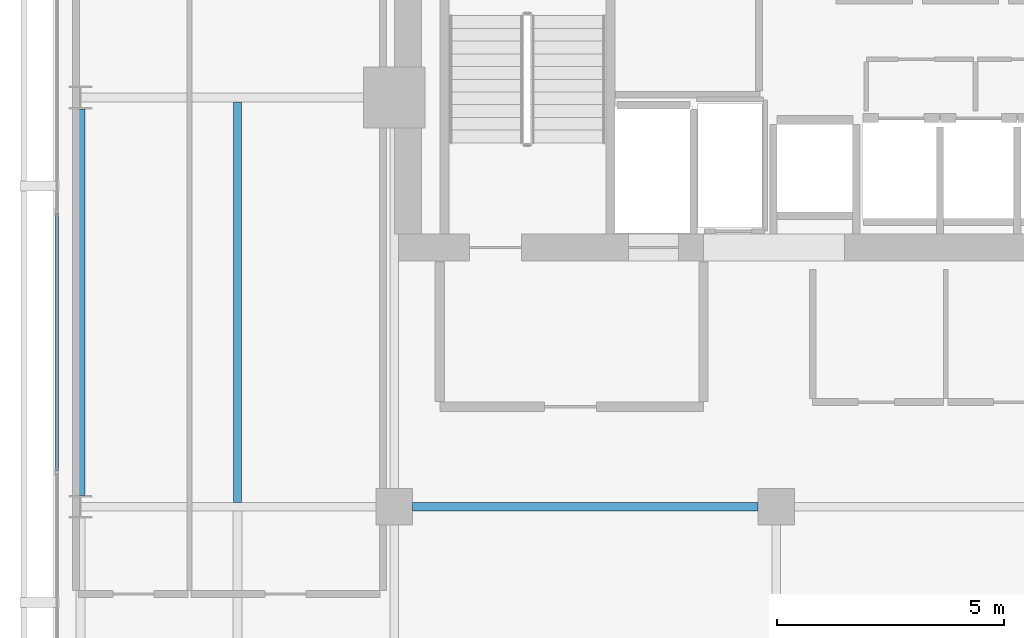
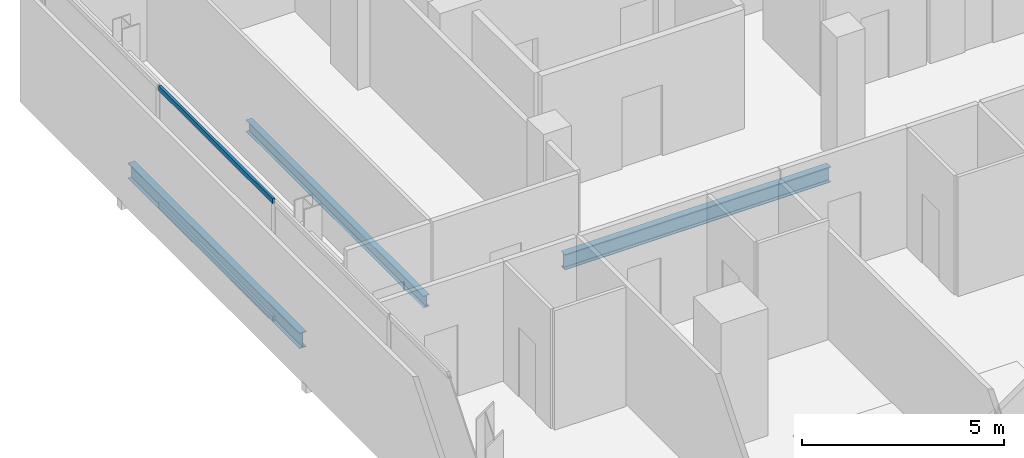
# One storey, part 8 of 24: 3 beams, 2 members, 1 element without a shape of its own.
"""IFC4 building model written with IfcOpenShell, lengths in metres."""

from ifc_helpers import new_model, si_unit, direction, frame, origin, origin_2d, place, context, subcontext, project, spatial, hollow_rectangle, i_section, extrude, material, layer, layer_set, material_profile, profile_set, type_object, element, aggregate, save


model = new_model("IFC4")

# Units and contexts
model_context = context("Model", 3, precision=1e-05, world=origin(), true_north=direction((0.0, 1.0)))
body_context = subcontext(model_context, "Body", "Model", "MODEL_VIEW")
ifc_project = project(units=[si_unit("LENGTHUNIT", "METRE"), si_unit("AREAUNIT", "SQUARE_METRE"), si_unit("VOLUMEUNIT", "CUBIC_METRE"), si_unit("PLANEANGLEUNIT", "RADIAN"), si_unit("MASSUNIT", "GRAM", prefix="KILO")], contexts=[model_context])

# Site, building, storey
site_placement = place(None, origin())
site = spatial("IfcSite", under=ifc_project, at=site_placement, CompositionType="ELEMENT")
building_placement = place(site_placement, origin())
building = spatial("IfcBuilding", under=site, at=building_placement, Name="Maruvema Waterfront Hotel and Observation Tower", CompositionType="ELEMENT")
storey_placement = place(building_placement, frame((0.0, 0.0, 325.85009765625)))
storey = spatial("IfcBuildingStorey", under=building, at=storey_placement, Name="L80", CompositionType="ELEMENT", Elevation=325.85009765625)

# Curtain wall, members
ifc_material_1 = material(Name="Anodised bronze aluminium and solar-control low-E IGU", Category="aluminium")
ifc_layer = layer(ifc_material_1, 0.159912109375, Name="Zone 4 Sky Residence Inner Curtain Wall System CW-05")
ifc_layer_set = layer_set([ifc_layer], Name="Anodised bronze aluminium and solar-control low-E IGU")
curtain_wall_type = type_object("IfcCurtainWallType", Name="Zone 4 Sky Residence Inner Curtain Wall System CW-05", PredefinedType="USERDEFINED", material=ifc_layer_set)
curtain_wall_placement = place(storey_placement, origin())
curtain_wall = element("IfcCurtainWall", 1, at=curtain_wall_placement, inside=storey, type_object=curtain_wall_type, Name="L80 Curtain Wall CW-L80-W", ObjectType="UNITISED CURTAIN WALL", PredefinedType="USERDEFINED")
ifc_material_2 = material(Name="Anodised architectural bronze aluminium", Category="aluminium")
ifc_material_profile_1 = material_profile(ifc_material_2, hollow_rectangle(XDim=0.070068359375, YDim=0.14990234375, WallThickness=0.00390625, at=origin_2d()), Name="ALU-T70x150")
ifc_profile_set_1 = profile_set([ifc_material_profile_1], Name="Anodised architectural bronze aluminium")
member_type = type_object("IfcMemberType", Name="Curtain Wall Horizontal Transom ALU-T70x150", PredefinedType="USERDEFINED", material=ifc_profile_set_1)
member_1_placement = place(storey_placement, frame((17.780029296875, 42.449951171875, 0.02978515625), z_axis=(0.0, -1.0, 0.0), x_axis=(1.0, 0.0, 0.0)))
member_1 = element("IfcMember", 2, at=member_1_placement, type_object=member_type, Name="CW-05 transom 2.1", ObjectType="TRANSOM", PredefinedType="USERDEFINED", context=body_context, shape_type="SweptSolid", body=[
    extrude(hollow_rectangle(XDim=0.070068359375, YDim=0.14990234375, WallThickness=0.00390625, at=origin_2d()), origin(), (0.0, 0.0, 1.0), 5.659912109375),
])
member_2_placement = place(storey_placement, frame((17.780029296875, 42.449951171875, 3.579833984375), z_axis=(0.0, -1.0, 0.0), x_axis=(1.0, 0.0, 0.0)))
member_2 = element("IfcMember", 3, at=member_2_placement, type_object=member_type, Name="CW-05 transom 2.2", ObjectType="TRANSOM", PredefinedType="USERDEFINED", context=body_context, shape_type="SweptSolid", body=[
    extrude(hollow_rectangle(XDim=0.070068359375, YDim=0.14990234375, WallThickness=0.00390625, at=origin_2d()), origin(), (0.0, 0.0, 1.0), 5.659912109375),
])
aggregate(curtain_wall, [member_1, member_2])

# Beams
ifc_material_3 = material(Name="Steel ASTM A572 Grade 50", Category="steel")
ifc_material_profile_2 = material_profile(ifc_material_3, i_section(OverallWidth=0.194091796875, OverallDepth=0.468994140625, WebThickness=0.0126953125, FlangeThickness=0.0205078125, FilletRadius=0.014892578125, at=origin_2d()), Name="W460x106.0")
ifc_profile_set_2 = profile_set([ifc_material_profile_2], Name="Steel ASTM A572 Grade 50")
beam_type_1 = type_object("IfcBeamType", Name="Primary Floor Girder W460x106.0", PredefinedType="BEAM", material=ifc_profile_set_2)
beam_1_placement = place(storey_placement, frame((25.60009765625, 36.0, -0.474609375), z_axis=(1.0, 0.0, 0.0), x_axis=(0.0, 1.0, 0.0)))
element("IfcBeam", 4, at=beam_1_placement, inside=storey, type_object=beam_type_1, Name="L80 Floor Girder EW-11", PredefinedType="BEAM", context=body_context, shape_type="SweptSolid", body=[
    extrude(i_section(OverallWidth=0.194091796875, OverallDepth=0.468994140625, WebThickness=0.0126953125, FlangeThickness=0.0205078125, FilletRadius=0.014892578125, at=origin_2d()), origin(), (0.0, 0.0, 1.0), 7.599853515625),
])
beam_2_placement = place(storey_placement, frame((18.300048828125, 36.25, -0.474609375), z_axis=(0.0, 1.0, 0.0), x_axis=(-1.0, 0.0, 0.0)))
element("IfcBeam", 5, at=beam_2_placement, inside=storey, type_object=beam_type_1, Name="L80 Floor Girder NS-02", PredefinedType="BEAM", context=body_context, shape_type="SweptSolid", body=[
    extrude(i_section(OverallWidth=0.194091796875, OverallDepth=0.468994140625, WebThickness=0.0126953125, FlangeThickness=0.0205078125, FilletRadius=0.014892578125, at=origin_2d()), origin(), (0.0, 0.0, 1.0), 8.5),
])
ifc_material_4 = material(Name="Steel ASTM A572 Grade 50", Category="steel")
ifc_material_profile_3 = material_profile(ifc_material_4, i_section(OverallWidth=0.1708984375, OverallDepth=0.35498046875, WebThickness=0.007080078125, FlangeThickness=0.01171875, FilletRadius=0.014892578125, at=origin_2d()), Name="W360x51.0")
ifc_profile_set_3 = profile_set([ifc_material_profile_3], Name="Steel ASTM A572 Grade 50")
beam_type_2 = type_object("IfcBeamType", Name="Secondary Floor Joist W360x51.0", PredefinedType="JOIST", material=ifc_profile_set_3)
beam_3_placement = place(storey_placement, frame((21.75, 36.096923828125, -0.41748046875), z_axis=(0.0, 1.0, 0.0), x_axis=(-1.0, 0.0, 0.0)))
element("IfcBeam", 6, at=beam_3_placement, inside=storey, type_object=beam_type_2, Name="L80 Secondary Floor Joist JS-02", PredefinedType="JOIST", context=body_context, shape_type="SweptSolid", body=[
    extrude(i_section(OverallWidth=0.1708984375, OverallDepth=0.35498046875, WebThickness=0.007080078125, FlangeThickness=0.01171875, FilletRadius=0.014892578125, at=origin_2d()), origin(), (0.0, 0.0, 1.0), 8.80615234375),
])

save(model, "model.ifc")
